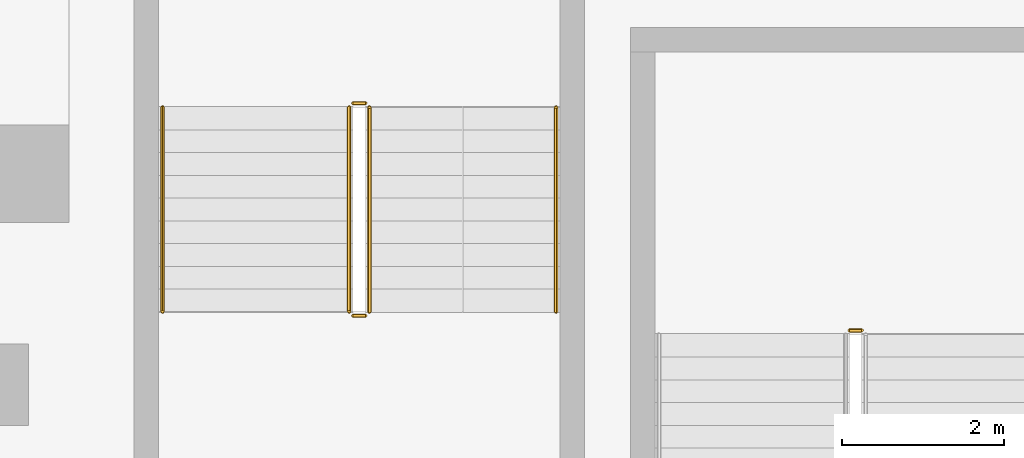
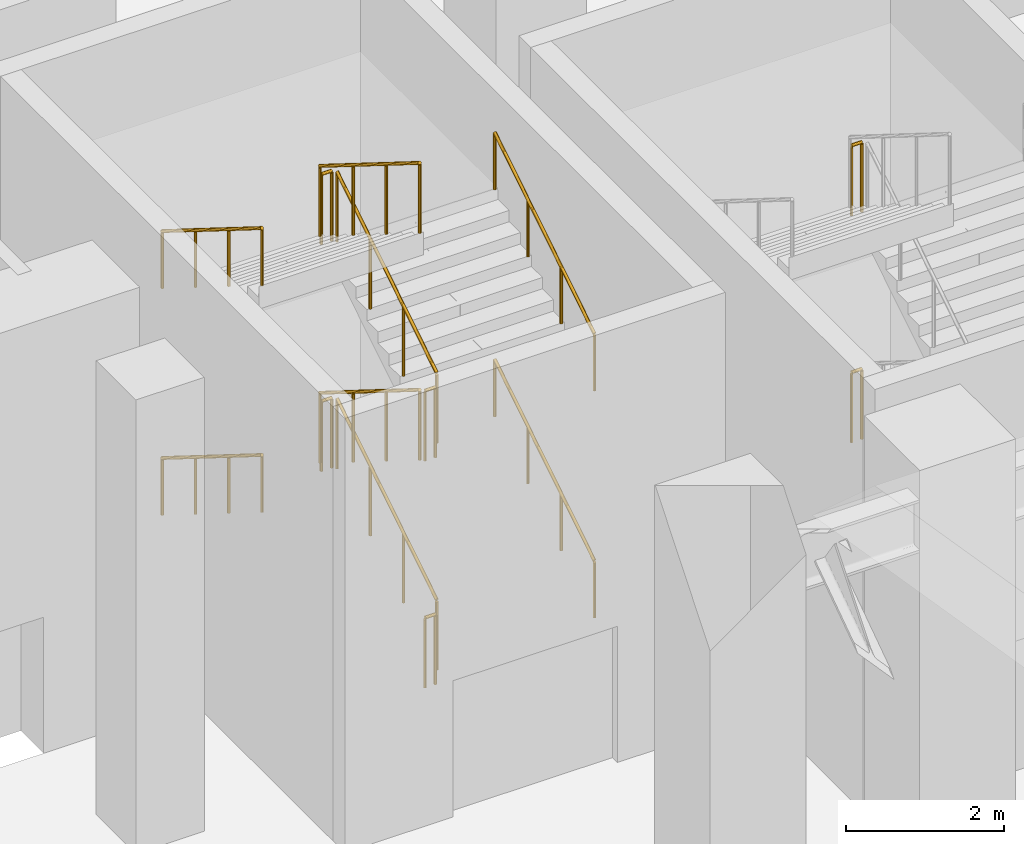
# One storey, part 41 of 41: 14 railings.
"""IFC4 building model written with IfcOpenShell, lengths in metres."""

from ifc_helpers import new_model, si_unit, direction, frame, origin, origin_2d, place, context, subcontext, project, spatial, circle, extrude, material, type_object, element, save


model = new_model("IFC4")

# Units and contexts
model_context = context("Model", 3, precision=1e-05, world=origin(), true_north=direction((0.0, 1.0)))
body_context = subcontext(model_context, "Body", "Model", "MODEL_VIEW")
ifc_project = project(units=[si_unit("LENGTHUNIT", "METRE"), si_unit("AREAUNIT", "SQUARE_METRE"), si_unit("VOLUMEUNIT", "CUBIC_METRE"), si_unit("PLANEANGLEUNIT", "RADIAN"), si_unit("MASSUNIT", "GRAM", prefix="KILO")], contexts=[model_context])

# Site, building, storey
site_placement = place(None, origin())
site = spatial("IfcSite", under=ifc_project, at=site_placement, CompositionType="ELEMENT")
building_placement = place(site_placement, origin())
building = spatial("IfcBuilding", under=site, at=building_placement, Name="Wharfspan Tower", CompositionType="ELEMENT")
storey_placement = place(building_placement, frame((0.0, 0.0, 8.0)))
storey = spatial("IfcBuildingStorey", under=building, at=storey_placement, Name="L01", CompositionType="ELEMENT", Elevation=8.0)

# Railings
ifc_material = material(Name="Steel S355J2", Category="steel")
railing_type_1 = type_object("IfcRailingType", Name="Podium guard 1100", PredefinedType="GUARDRAIL", material=ifc_material)
railing_1_placement = place(storey_placement, frame((68.699951, 32.899902, 0.175049)))
element("IfcRailing", 1, at=railing_1_placement, inside=storey, type_object=railing_type_1, Name="L01 PS4 stair guard 1", PredefinedType="GUARDRAIL", context=body_context, shape_type="SweptSolid", body=[
    extrude(circle(Radius=0.023926, at=origin_2d()), frame((0.0, 0.0, 1.076172), z_axis=(0.0, 0.848008, 0.529984), x_axis=(-1.0, 0.0, 0.0)), (0.0, 0.0, 1.0), 2.97168),
    extrude(circle(Radius=0.020996, at=origin_2d()), origin(), (0.0, 0.0, 1.0), 1.052002),
    extrude(circle(Radius=0.020996, at=origin_2d()), frame((0.0, 0.840088, 0.524902)), (0.0, 0.0, 1.0), 1.052002),
    extrude(circle(Radius=0.020996, at=origin_2d()), frame((0.0, 1.679932, 1.050049)), (0.0, 0.0, 1.0), 1.052002),
    extrude(circle(Radius=0.020996, at=origin_2d()), frame((0.0, 2.52002, 1.574951)), (0.0, 0.0, 1.0), 1.052002),
])
railing_2_placement = place(storey_placement, frame((68.649902, 35.469971, 1.75)))
element("IfcRailing", 2, at=railing_2_placement, inside=storey, type_object=railing_type_1, Name="L01 PS4 stair guard 2", PredefinedType="GUARDRAIL", context=body_context, shape_type="SweptSolid", body=[
    extrude(circle(Radius=0.023926, at=origin_2d()), frame((0.0, 0.0, 1.076172), z_axis=(-1.0, 0.0, 0.0), x_axis=(0.0, -1.0, 0.0)), (0.0, 0.0, 1.0), 0.149902),
    extrude(circle(Radius=0.020996, at=origin_2d()), origin(), (0.0, 0.0, 1.0), 1.052002),
    extrude(circle(Radius=0.020996, at=origin_2d()), frame((-0.149902, 0.0, 0.0)), (0.0, 0.0, 1.0), 1.052002),
])
railing_3_placement = place(storey_placement, frame((68.449951, 35.419922, 1.925049)))
element("IfcRailing", 3, at=railing_3_placement, inside=storey, type_object=railing_type_1, Name="L01 PS4 stair guard 3", PredefinedType="GUARDRAIL", context=body_context, shape_type="SweptSolid", body=[
    extrude(circle(Radius=0.023926, at=origin_2d()), frame((0.0, 0.0, 1.076172), z_axis=(0.0, -0.848008, 0.529984), x_axis=(1.0, 0.0, 0.0)), (0.0, 0.0, 1.0), 2.97168),
    extrude(circle(Radius=0.020996, at=origin_2d()), origin(), (0.0, 0.0, 1.0), 1.052002),
    extrude(circle(Radius=0.020996, at=origin_2d()), frame((0.0, -0.840088, 0.524902)), (0.0, 0.0, 1.0), 1.052002),
    extrude(circle(Radius=0.020996, at=origin_2d()), frame((0.0, -1.679932, 1.050049)), (0.0, 0.0, 1.0), 1.052002),
    extrude(circle(Radius=0.020996, at=origin_2d()), frame((0.0, -2.52002, 1.574951)), (0.0, 0.0, 1.0), 1.052002),
])
railing_4_placement = place(storey_placement, frame((68.649902, 32.850098, 3.5)))
element("IfcRailing", 4, at=railing_4_placement, inside=storey, type_object=railing_type_1, Name="L01 PS4 stair guard 4", PredefinedType="GUARDRAIL", context=body_context, shape_type="SweptSolid", body=[
    extrude(circle(Radius=0.023926, at=origin_2d()), frame((0.0, 0.0, 1.076172), z_axis=(-1.0, 0.0, 0.0), x_axis=(0.0, -1.0, 0.0)), (0.0, 0.0, 1.0), 0.149902),
    extrude(circle(Radius=0.020996, at=origin_2d()), origin(), (0.0, 0.0, 1.0), 1.052002),
    extrude(circle(Radius=0.020996, at=origin_2d()), frame((-0.149902, 0.0, 0.0)), (0.0, 0.0, 1.0), 1.052002),
])
railing_5_placement = place(storey_placement, frame((68.699951, 32.899902, 3.675049)))
element("IfcRailing", 5, at=railing_5_placement, inside=storey, type_object=railing_type_1, Name="L01 PS4 stair guard 5", PredefinedType="GUARDRAIL", context=body_context, shape_type="SweptSolid", body=[
    extrude(circle(Radius=0.023926, at=origin_2d()), frame((0.0, 0.0, 1.076172), z_axis=(0.0, 0.848008, 0.529984), x_axis=(-1.0, 0.0, 0.0)), (0.0, 0.0, 1.0), 2.97168),
    extrude(circle(Radius=0.020996, at=origin_2d()), origin(), (0.0, 0.0, 1.0), 1.052002),
    extrude(circle(Radius=0.020996, at=origin_2d()), frame((0.0, 0.840088, 0.524902)), (0.0, 0.0, 1.0), 1.052002),
    extrude(circle(Radius=0.020996, at=origin_2d()), frame((0.0, 1.679932, 1.050049)), (0.0, 0.0, 1.0), 1.052002),
    extrude(circle(Radius=0.020996, at=origin_2d()), frame((0.0, 2.52002, 1.574951)), (0.0, 0.0, 1.0), 1.052002),
])
railing_6_placement = place(storey_placement, frame((68.649902, 35.469971, 5.25)))
element("IfcRailing", 6, at=railing_6_placement, inside=storey, type_object=railing_type_1, Name="L01 PS4 stair guard 6", PredefinedType="GUARDRAIL", context=body_context, shape_type="SweptSolid", body=[
    extrude(circle(Radius=0.023926, at=origin_2d()), frame((0.0, 0.0, 1.076172), z_axis=(-1.0, 0.0, 0.0), x_axis=(0.0, -1.0, 0.0)), (0.0, 0.0, 1.0), 0.149902),
    extrude(circle(Radius=0.020996, at=origin_2d()), origin(), (0.0, 0.0, 1.0), 1.052002),
    extrude(circle(Radius=0.020996, at=origin_2d()), frame((-0.149902, 0.0, 0.0)), (0.0, 0.0, 1.0), 1.052002),
])
railing_7_placement = place(storey_placement, frame((68.449951, 35.419922, 5.425049)))
element("IfcRailing", 7, at=railing_7_placement, inside=storey, type_object=railing_type_1, Name="L01 PS4 stair guard 7", PredefinedType="GUARDRAIL", context=body_context, shape_type="SweptSolid", body=[
    extrude(circle(Radius=0.023926, at=origin_2d()), frame((0.0, 0.0, 1.076172), z_axis=(0.0, -0.848008, 0.529984), x_axis=(1.0, 0.0, 0.0)), (0.0, 0.0, 1.0), 2.97168),
    extrude(circle(Radius=0.020996, at=origin_2d()), origin(), (0.0, 0.0, 1.0), 1.052002),
    extrude(circle(Radius=0.020996, at=origin_2d()), frame((0.0, -0.840088, 0.524902)), (0.0, 0.0, 1.0), 1.052002),
    extrude(circle(Radius=0.020996, at=origin_2d()), frame((0.0, -1.679932, 1.050049)), (0.0, 0.0, 1.0), 1.052002),
    extrude(circle(Radius=0.020996, at=origin_2d()), frame((0.0, -2.52002, 1.574951)), (0.0, 0.0, 1.0), 1.052002),
])
railing_8_placement = place(storey_placement, frame((68.649902, 32.850098, 0.0)))
element("IfcRailing", 8, at=railing_8_placement, inside=storey, type_object=railing_type_1, Name="L01 PS4 stair guard 8", PredefinedType="GUARDRAIL", context=body_context, shape_type="SweptSolid", body=[
    extrude(circle(Radius=0.023926, at=origin_2d()), frame((0.0, 0.0, 1.076172), z_axis=(-1.0, 0.0, 0.0), x_axis=(0.0, -1.0, 0.0)), (0.0, 0.0, 1.0), 0.149902),
    extrude(circle(Radius=0.020996, at=origin_2d()), origin(), (0.0, 0.0, 1.0), 1.052002),
    extrude(circle(Radius=0.020996, at=origin_2d()), frame((-0.149902, 0.0, 0.0)), (0.0, 0.0, 1.0), 1.052002),
])
for number, where, name in (
    (9, (74.767578, 32.669922, 1.75), "L01 PS5 stair guard 2"),
    (10, (74.767578, 32.669922, 5.25), "L01 PS5 stair guard 6"),
):
    element("IfcRailing", number, at=place(storey_placement, frame(where)), inside=storey, type_object=railing_type_1, Name=name, PredefinedType="GUARDRAIL", context=body_context, shape_type="SweptSolid", body=[
        extrude(circle(Radius=0.023926, at=origin_2d()), frame((0.0, 0.0, 1.076172), z_axis=(-1.0, 0.0, 0.0), x_axis=(0.0, -1.0, 0.0)), (0.0, 0.0, 1.0), 0.150146),
        extrude(circle(Radius=0.020996, at=origin_2d()), origin(), (0.0, 0.0, 1.0), 1.052002),
        extrude(circle(Radius=0.020996, at=origin_2d()), frame((-0.150146, 0.0, 0.0)), (0.0, 0.0, 1.0), 1.052002),
    ])
railing_type_2 = type_object("IfcRailingType", Name="Podium stair handrail 900", PredefinedType="HANDRAIL", material=ifc_material)
railing_9_placement = place(storey_placement, frame((71.0, 32.899902, 0.175049)))
element("IfcRailing", 11, at=railing_9_placement, inside=storey, type_object=railing_type_2, Name="L01 PS4 stair handrail 1", PredefinedType="HANDRAIL", context=body_context, shape_type="SweptSolid", body=[
    extrude(circle(Radius=0.023926, at=origin_2d()), frame((0.0, 0.0, 0.875977), z_axis=(0.0, 0.848008, 0.529984), x_axis=(-1.0, 0.0, 0.0)), (0.0, 0.0, 1.0), 2.97168),
    extrude(circle(Radius=0.020996, at=origin_2d()), origin(), (0.0, 0.0, 1.0), 0.851807),
    extrude(circle(Radius=0.020996, at=origin_2d()), frame((0.0, 0.840088, 0.524902)), (0.0, 0.0, 1.0), 0.851807),
    extrude(circle(Radius=0.020996, at=origin_2d()), frame((0.0, 1.679932, 1.050049)), (0.0, 0.0, 1.0), 0.851807),
    extrude(circle(Radius=0.020996, at=origin_2d()), frame((0.0, 2.52002, 1.574951)), (0.0, 0.0, 1.0), 0.851807),
])
railing_10_placement = place(storey_placement, frame((66.149902, 35.419922, 1.925049)))
element("IfcRailing", 12, at=railing_10_placement, inside=storey, type_object=railing_type_2, Name="L01 PS4 stair handrail 2", PredefinedType="HANDRAIL", context=body_context, shape_type="SweptSolid", body=[
    extrude(circle(Radius=0.023926, at=origin_2d()), frame((0.0, 0.0, 0.875977), z_axis=(0.0, -0.848008, 0.529984), x_axis=(1.0, 0.0, 0.0)), (0.0, 0.0, 1.0), 2.97168),
    extrude(circle(Radius=0.020996, at=origin_2d()), origin(), (0.0, 0.0, 1.0), 0.851807),
    extrude(circle(Radius=0.020996, at=origin_2d()), frame((0.0, -0.840088, 0.524902)), (0.0, 0.0, 1.0), 0.851807),
    extrude(circle(Radius=0.020996, at=origin_2d()), frame((0.0, -1.679932, 1.050049)), (0.0, 0.0, 1.0), 0.851807),
    extrude(circle(Radius=0.020996, at=origin_2d()), frame((0.0, -2.52002, 1.574951)), (0.0, 0.0, 1.0), 0.851807),
])
railing_11_placement = place(storey_placement, frame((71.0, 32.899902, 3.675049)))
element("IfcRailing", 13, at=railing_11_placement, inside=storey, type_object=railing_type_2, Name="L01 PS4 stair handrail 3", PredefinedType="HANDRAIL", context=body_context, shape_type="SweptSolid", body=[
    extrude(circle(Radius=0.023926, at=origin_2d()), frame((0.0, 0.0, 0.875977), z_axis=(0.0, 0.848008, 0.529984), x_axis=(-1.0, 0.0, 0.0)), (0.0, 0.0, 1.0), 2.97168),
    extrude(circle(Radius=0.020996, at=origin_2d()), origin(), (0.0, 0.0, 1.0), 0.851807),
    extrude(circle(Radius=0.020996, at=origin_2d()), frame((0.0, 0.840088, 0.524902)), (0.0, 0.0, 1.0), 0.851807),
    extrude(circle(Radius=0.020996, at=origin_2d()), frame((0.0, 1.679932, 1.050049)), (0.0, 0.0, 1.0), 0.851807),
    extrude(circle(Radius=0.020996, at=origin_2d()), frame((0.0, 2.52002, 1.574951)), (0.0, 0.0, 1.0), 0.851807),
])
railing_12_placement = place(storey_placement, frame((66.149902, 35.419922, 5.425049)))
element("IfcRailing", 14, at=railing_12_placement, inside=storey, type_object=railing_type_2, Name="L01 PS4 stair handrail 4", PredefinedType="HANDRAIL", context=body_context, shape_type="SweptSolid", body=[
    extrude(circle(Radius=0.023926, at=origin_2d()), frame((0.0, 0.0, 0.875977), z_axis=(0.0, -0.848008, 0.529984), x_axis=(1.0, 0.0, 0.0)), (0.0, 0.0, 1.0), 2.97168),
    extrude(circle(Radius=0.020996, at=origin_2d()), origin(), (0.0, 0.0, 1.0), 0.851807),
    extrude(circle(Radius=0.020996, at=origin_2d()), frame((0.0, -0.840088, 0.524902)), (0.0, 0.0, 1.0), 0.851807),
    extrude(circle(Radius=0.020996, at=origin_2d()), frame((0.0, -1.679932, 1.050049)), (0.0, 0.0, 1.0), 0.851807),
    extrude(circle(Radius=0.020996, at=origin_2d()), frame((0.0, -2.52002, 1.574951)), (0.0, 0.0, 1.0), 0.851807),
])

save(model, "model.ifc")
